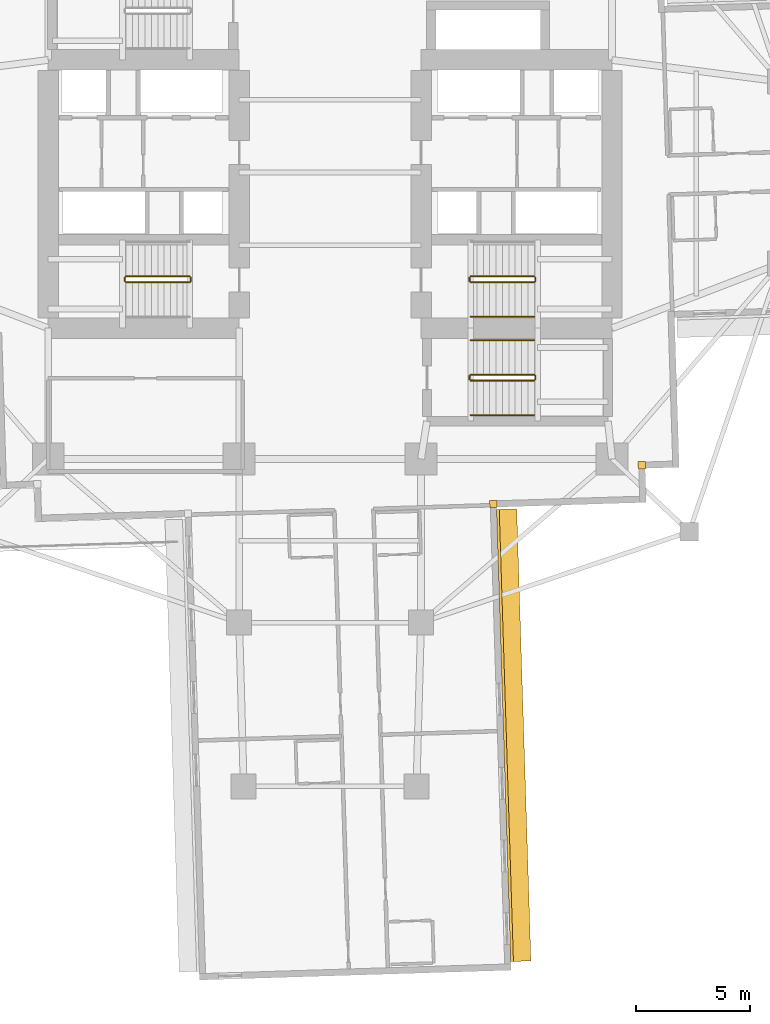
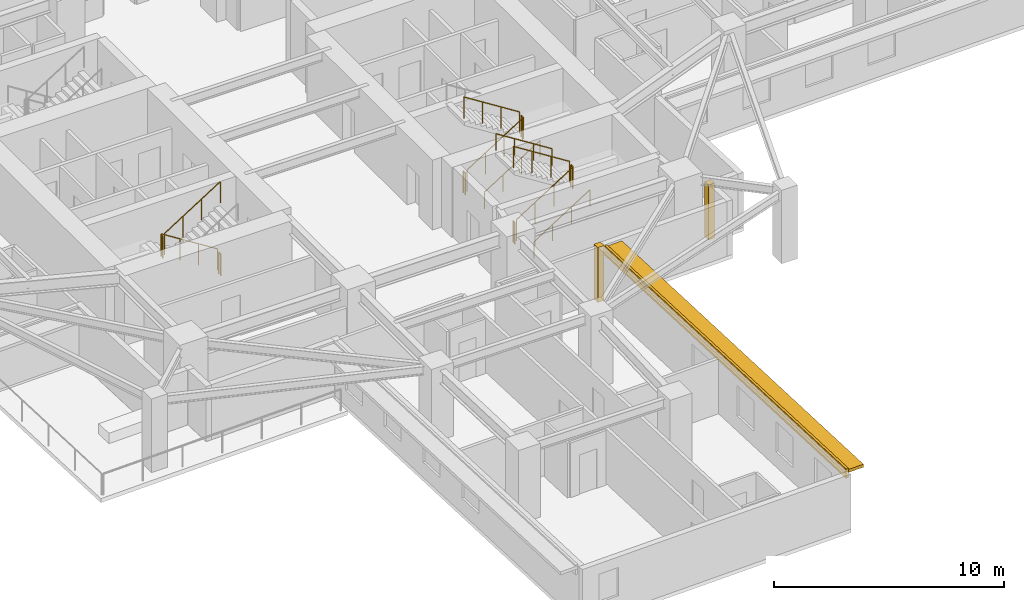
# One storey, part 11 of 14: 15 railings, 3 coverings, 1 shading device.
"""IFC4 building model written with IfcOpenShell, lengths in metres."""

from ifc_helpers import new_model, si_unit, direction, frame, origin, origin_2d, place, context, subcontext, project, spatial, rectangle, circle, extrude, material, layer, layer_set, type_object, element, save


model = new_model("IFC4")

# Units and contexts
model_context = context("Model", 3, precision=1e-05, world=origin(), true_north=direction((0.0, 1.0)))
body_context = subcontext(model_context, "Body", "Model", "MODEL_VIEW")
ifc_project = project(units=[si_unit("LENGTHUNIT", "METRE"), si_unit("AREAUNIT", "SQUARE_METRE"), si_unit("VOLUMEUNIT", "CUBIC_METRE"), si_unit("PLANEANGLEUNIT", "RADIAN"), si_unit("MASSUNIT", "GRAM", prefix="KILO")], contexts=[model_context])

# Site, building, storey
site_placement = place(None, origin())
site = spatial("IfcSite", under=ifc_project, at=site_placement, CompositionType="ELEMENT")
building_placement = place(site_placement, origin())
building = spatial("IfcBuilding", under=site, at=building_placement, Name="Qingluan Cross Belvedere", CompositionType="ELEMENT")
storey_placement = place(building_placement, frame((0.0, 0.0, 56.10009765625)))
storey = spatial("IfcBuildingStorey", under=building, at=storey_placement, Name="L14", CompositionType="ELEMENT", Elevation=56.10009765625)

# Coverings
ifc_material_1 = material(Name="Precast concrete C45", Category="concrete")
ifc_layer_1 = layer(ifc_material_1, 0.1201171875, Name="ConcreteSpandrelCladding_120")
ifc_layer_set_1 = layer_set([ifc_layer_1], Name="Precast concrete C45")
covering_type = type_object("IfcCoveringType", Name="ConcreteSpandrelCladding_120", PredefinedType="CLADDING", material=ifc_layer_set_1)
covering_placement = place(storey_placement, frame((7.691650390625, -24.760498046875, 2.449951171875), z_axis=(0.0, 0.0, 1.0), x_axis=(-0.031407934627, 0.999506649124, 0.0)))
element("IfcCovering", 1, at=covering_placement, inside=storey, type_object=covering_type, Name="Spandrel cladding L14-SB", PredefinedType="CLADDING", context=body_context, shape_type="SweptSolid", body=[
    extrude(rectangle(XDim=19.89990234375, YDim=0.1201171875, at=origin_2d()), origin(), (0.0, 0.0, 1.0), 0.52001953125),
])
for number, where, z_axis, x_axis, name in (
    (2, (13.711181640625, -12.875732421875, 0.0), (0.0, 0.0, 1.0), (0.999506560366, 0.031410759078, 0.0), "Corner closure L14-SE1"),
    (3, (7.181640625, -14.58154296875, 0.0), (0.0, 0.0, 1.0), (0.999506560366, 0.031410759078, 0.0), "Corner closure L14-SE2"),
):
    element("IfcCovering", number, at=place(storey_placement, frame(where, z_axis=z_axis, x_axis=x_axis)), inside=storey, type_object=covering_type, Name=name, PredefinedType="CLADDING", context=body_context, shape_type="SweptSolid", body=[
        extrude(rectangle(XDim=0.320068359375, YDim=0.320068359375, at=origin_2d()), origin(), (0.0, 0.0, 1.0), 2.909912109375),
    ])

# Shading device
ifc_material_2 = material(Name="Precast concrete C45", Category="concrete")
ifc_layer_2 = layer(ifc_material_2, 0.159912109375, Name="ConcreteSunshadeBand_900")
ifc_layer_set_2 = layer_set([ifc_layer_2], Name="Precast concrete C45")
shading_device_type = type_object("IfcShadingDeviceType", Name="ConcreteSunshadeBand_900", PredefinedType="USERDEFINED", material=ifc_layer_set_2)
shading_device_placement = place(storey_placement, frame((8.0712890625, -24.74853515625, 2.72998046875), z_axis=(0.0, 0.0, 1.0), x_axis=(-0.031407934627, 0.999506649124, 0.0)))
element("IfcShadingDevice", 4, at=shading_device_placement, inside=storey, type_object=shading_device_type, Name="Concrete SUNSHADE L14-SB", ObjectType="SUNSHADE", PredefinedType="USERDEFINED", context=body_context, shape_type="SweptSolid", body=[
    extrude(rectangle(XDim=19.89990234375, YDim=0.89990234375, at=origin_2d()), origin(), (0.0, 0.0, 1.0), 0.159912109375),
])

# Railings
ifc_material_3 = material(Name="Brushed stainless steel tubular handrail", Category="steel")
railing_type_1 = type_object("IfcRailingType", Name="StairPitchHandrail_900", PredefinedType="HANDRAIL", material=ifc_material_3)
for number, where, name in (
    (5, (6.179931640625, -6.35009765625, 0.17724609375), "L14 ST2 stair handrail 1"),
    (6, (6.179931640625, -10.669921875, 0.17724609375), "L14 ST4 stair handrail 1"),
):
    element("IfcRailing", number, at=place(storey_placement, frame(where)), inside=storey, type_object=railing_type_1, Name=name, PredefinedType="HANDRAIL", context=body_context, shape_type="SweptSolid", body=[
        extrude(circle(Radius=0.02392578125, at=origin_2d()), frame((0.0, 0.0, 0.8759765625), z_axis=(0.844908973607, 0.0, 0.534910110503), x_axis=(0.0, 1.0, 0.0)), (0.0, 0.0, 1.0), 3.31396484375),
        extrude(circle(Radius=0.02099609375, at=origin_2d()), origin(), (0.0, 0.0, 1.0), 0.851806640625),
        extrude(circle(Radius=0.02099609375, at=origin_2d()), frame((0.933349609375, 0.0, 0.5908203125)), (0.0, 0.0, 1.0), 0.851806640625),
        extrude(circle(Radius=0.02099609375, at=origin_2d()), frame((1.86669921875, 0.0, 1.181884765625)), (0.0, 0.0, 1.0), 0.851806640625),
        extrude(circle(Radius=0.02099609375, at=origin_2d()), frame((2.800048828125, 0.0, 1.772705078125)), (0.0, 0.0, 1.0), 0.851806640625),
    ])
railing_1_placement = place(storey_placement, frame((8.97998046875, -7.3701171875, 2.127197265625)))
element("IfcRailing", 7, at=railing_1_placement, inside=storey, type_object=railing_type_1, Name="L14 ST4 stair handrail 2", PredefinedType="HANDRAIL", context=body_context, shape_type="SweptSolid", body=[
    extrude(circle(Radius=0.02392578125, at=origin_2d()), frame((0.0, 0.0, 0.8759765625), z_axis=(-0.844908973607, 0.0, 0.534910110503), x_axis=(0.0, -1.0, 0.0)), (0.0, 0.0, 1.0), 3.31396484375),
    extrude(circle(Radius=0.02099609375, at=origin_2d()), origin(), (0.0, 0.0, 1.0), 0.851806640625),
    extrude(circle(Radius=0.02099609375, at=origin_2d()), frame((-0.933349609375, 0.0, 0.5908203125)), (0.0, 0.0, 1.0), 0.851806640625),
    extrude(circle(Radius=0.02099609375, at=origin_2d()), frame((-1.86669921875, 0.0, 1.181884765625)), (0.0, 0.0, 1.0), 0.851806640625),
    extrude(circle(Radius=0.02099609375, at=origin_2d()), frame((-2.800048828125, 0.0, 1.772705078125)), (0.0, 0.0, 1.0), 0.851806640625),
])
ifc_material_4 = material(Name="Painted steel stair well guard", Category="steel")
railing_type_2 = type_object("IfcRailingType", Name="StairWellGuard_1150", PredefinedType="BALUSTRADE", material=ifc_material_4)
railing_2_placement = place(storey_placement, frame((-6.179931640625, -4.570068359375, 0.17724609375)))
element("IfcRailing", 8, at=railing_2_placement, inside=storey, type_object=railing_type_2, Name="L14 ST1 stair guard 1", PredefinedType="BALUSTRADE", context=body_context, shape_type="SweptSolid", body=[
    extrude(circle(Radius=0.02392578125, at=origin_2d()), frame((0.0, 0.0, 1.1259765625), z_axis=(-0.844908973607, 0.0, 0.534910110503), x_axis=(0.0, -1.0, 0.0)), (0.0, 0.0, 1.0), 3.31396484375),
    extrude(circle(Radius=0.02099609375, at=origin_2d()), origin(), (0.0, 0.0, 1.0), 1.101806640625),
    extrude(circle(Radius=0.02099609375, at=origin_2d()), frame((-0.933349609375, 0.0, 0.5908203125)), (0.0, 0.0, 1.0), 1.101806640625),
    extrude(circle(Radius=0.02099609375, at=origin_2d()), frame((-1.86669921875, 0.0, 1.181884765625)), (0.0, 0.0, 1.0), 1.101806640625),
    extrude(circle(Radius=0.02099609375, at=origin_2d()), frame((-2.800048828125, 0.0, 1.772705078125)), (0.0, 0.0, 1.0), 1.101806640625),
])
railing_3_placement = place(storey_placement, frame((-9.030029296875, -4.6201171875, 1.949951171875)))
element("IfcRailing", 9, at=railing_3_placement, inside=storey, type_object=railing_type_2, Name="L14 ST1 stair guard 2", PredefinedType="BALUSTRADE", context=body_context, shape_type="SweptSolid", body=[
    extrude(circle(Radius=0.02392578125, at=origin_2d()), frame((0.0, 0.0, 1.1259765625), z_axis=(0.0, -1.0, 0.0), x_axis=(1.0, 0.0, 0.0)), (0.0, 0.0, 1.0), 0.159912109375),
    extrude(circle(Radius=0.02099609375, at=origin_2d()), origin(), (0.0, 0.0, 1.0), 1.101806640625),
    extrude(circle(Radius=0.02099609375, at=origin_2d()), frame((0.0, -0.159912109375, 0.0)), (0.0, 0.0, 1.0), 1.101806640625),
])
railing_4_placement = place(storey_placement, frame((-8.97998046875, -4.830078125, 2.127197265625)))
element("IfcRailing", 10, at=railing_4_placement, inside=storey, type_object=railing_type_2, Name="L14 ST1 stair guard 3", PredefinedType="BALUSTRADE", context=body_context, shape_type="SweptSolid", body=[
    extrude(circle(Radius=0.02392578125, at=origin_2d()), frame((0.0, 0.0, 1.1259765625), z_axis=(0.844908973607, 0.0, 0.534910110503), x_axis=(0.0, 1.0, 0.0)), (0.0, 0.0, 1.0), 3.31396484375),
    extrude(circle(Radius=0.02099609375, at=origin_2d()), origin(), (0.0, 0.0, 1.0), 1.101806640625),
    extrude(circle(Radius=0.02099609375, at=origin_2d()), frame((0.933349609375, 0.0, 0.5908203125)), (0.0, 0.0, 1.0), 1.101806640625),
    extrude(circle(Radius=0.02099609375, at=origin_2d()), frame((1.86669921875, 0.0, 1.181884765625)), (0.0, 0.0, 1.0), 1.101806640625),
    extrude(circle(Radius=0.02099609375, at=origin_2d()), frame((2.800048828125, 0.0, 1.772705078125)), (0.0, 0.0, 1.0), 1.101806640625),
])
railing_5_placement = place(storey_placement, frame((-6.1298828125, -4.6201171875, 0.0)))
element("IfcRailing", 11, at=railing_5_placement, inside=storey, type_object=railing_type_2, Name="L14 ST1 stair guard 4", PredefinedType="BALUSTRADE", context=body_context, shape_type="SweptSolid", body=[
    extrude(circle(Radius=0.02392578125, at=origin_2d()), frame((0.0, 0.0, 1.1259765625), z_axis=(0.0, -1.0, 0.0), x_axis=(1.0, 0.0, 0.0)), (0.0, 0.0, 1.0), 0.159912109375),
    extrude(circle(Radius=0.02099609375, at=origin_2d()), origin(), (0.0, 0.0, 1.0), 1.101806640625),
    extrude(circle(Radius=0.02099609375, at=origin_2d()), frame((0.0, -0.159912109375, 0.0)), (0.0, 0.0, 1.0), 1.101806640625),
])
railing_6_placement = place(storey_placement, frame((6.179931640625, -4.830078125, 0.17724609375)))
element("IfcRailing", 12, at=railing_6_placement, inside=storey, type_object=railing_type_2, Name="L14 ST2 stair guard 1", PredefinedType="BALUSTRADE", context=body_context, shape_type="SweptSolid", body=[
    extrude(circle(Radius=0.02392578125, at=origin_2d()), frame((0.0, 0.0, 1.1259765625), z_axis=(0.844908973607, 0.0, 0.534910110503), x_axis=(0.0, 1.0, 0.0)), (0.0, 0.0, 1.0), 3.31396484375),
    extrude(circle(Radius=0.02099609375, at=origin_2d()), origin(), (0.0, 0.0, 1.0), 1.101806640625),
    extrude(circle(Radius=0.02099609375, at=origin_2d()), frame((0.933349609375, 0.0, 0.5908203125)), (0.0, 0.0, 1.0), 1.101806640625),
    extrude(circle(Radius=0.02099609375, at=origin_2d()), frame((1.86669921875, 0.0, 1.181884765625)), (0.0, 0.0, 1.0), 1.101806640625),
    extrude(circle(Radius=0.02099609375, at=origin_2d()), frame((2.800048828125, 0.0, 1.772705078125)), (0.0, 0.0, 1.0), 1.101806640625),
])
railing_7_placement = place(storey_placement, frame((9.030029296875, -4.780029296875, 1.949951171875)))
element("IfcRailing", 13, at=railing_7_placement, inside=storey, type_object=railing_type_2, Name="L14 ST2 stair guard 2", PredefinedType="BALUSTRADE", context=body_context, shape_type="SweptSolid", body=[
    extrude(circle(Radius=0.02392578125, at=origin_2d()), frame((0.0, 0.0, 1.1259765625), z_axis=(0.0, 1.0, 0.0), x_axis=(-1.0, 0.0, 0.0)), (0.0, 0.0, 1.0), 0.159912109375),
    extrude(circle(Radius=0.02099609375, at=origin_2d()), origin(), (0.0, 0.0, 1.0), 1.101806640625),
    extrude(circle(Radius=0.02099609375, at=origin_2d()), frame((0.0, 0.159912109375, 0.0)), (0.0, 0.0, 1.0), 1.101806640625),
])
railing_8_placement = place(storey_placement, frame((8.97998046875, -4.570068359375, 2.127197265625)))
element("IfcRailing", 14, at=railing_8_placement, inside=storey, type_object=railing_type_2, Name="L14 ST2 stair guard 3", PredefinedType="BALUSTRADE", context=body_context, shape_type="SweptSolid", body=[
    extrude(circle(Radius=0.02392578125, at=origin_2d()), frame((0.0, 0.0, 1.1259765625), z_axis=(-0.844908973607, 0.0, 0.534910110503), x_axis=(0.0, -1.0, 0.0)), (0.0, 0.0, 1.0), 3.31396484375),
    extrude(circle(Radius=0.02099609375, at=origin_2d()), origin(), (0.0, 0.0, 1.0), 1.101806640625),
    extrude(circle(Radius=0.02099609375, at=origin_2d()), frame((-0.933349609375, 0.0, 0.5908203125)), (0.0, 0.0, 1.0), 1.101806640625),
    extrude(circle(Radius=0.02099609375, at=origin_2d()), frame((-1.86669921875, 0.0, 1.181884765625)), (0.0, 0.0, 1.0), 1.101806640625),
    extrude(circle(Radius=0.02099609375, at=origin_2d()), frame((-2.800048828125, 0.0, 1.772705078125)), (0.0, 0.0, 1.0), 1.101806640625),
])
railing_9_placement = place(storey_placement, frame((6.1298828125, -4.780029296875, 0.0)))
element("IfcRailing", 15, at=railing_9_placement, inside=storey, type_object=railing_type_2, Name="L14 ST2 stair guard 4", PredefinedType="BALUSTRADE", context=body_context, shape_type="SweptSolid", body=[
    extrude(circle(Radius=0.02392578125, at=origin_2d()), frame((0.0, 0.0, 1.1259765625), z_axis=(0.0, 1.0, 0.0), x_axis=(-1.0, 0.0, 0.0)), (0.0, 0.0, 1.0), 0.159912109375),
    extrude(circle(Radius=0.02099609375, at=origin_2d()), origin(), (0.0, 0.0, 1.0), 1.101806640625),
    extrude(circle(Radius=0.02099609375, at=origin_2d()), frame((0.0, 0.159912109375, 0.0)), (0.0, 0.0, 1.0), 1.101806640625),
])
railing_10_placement = place(storey_placement, frame((6.179931640625, -9.14990234375, 0.17724609375)))
element("IfcRailing", 16, at=railing_10_placement, inside=storey, type_object=railing_type_2, Name="L14 ST4 stair guard 1", PredefinedType="BALUSTRADE", context=body_context, shape_type="SweptSolid", body=[
    extrude(circle(Radius=0.02392578125, at=origin_2d()), frame((0.0, 0.0, 1.1259765625), z_axis=(0.844908973607, 0.0, 0.534910110503), x_axis=(0.0, 1.0, 0.0)), (0.0, 0.0, 1.0), 3.31396484375),
    extrude(circle(Radius=0.02099609375, at=origin_2d()), origin(), (0.0, 0.0, 1.0), 1.101806640625),
    extrude(circle(Radius=0.02099609375, at=origin_2d()), frame((0.933349609375, 0.0, 0.5908203125)), (0.0, 0.0, 1.0), 1.101806640625),
    extrude(circle(Radius=0.02099609375, at=origin_2d()), frame((1.86669921875, 0.0, 1.181884765625)), (0.0, 0.0, 1.0), 1.101806640625),
    extrude(circle(Radius=0.02099609375, at=origin_2d()), frame((2.800048828125, 0.0, 1.772705078125)), (0.0, 0.0, 1.0), 1.101806640625),
])
railing_11_placement = place(storey_placement, frame((9.030029296875, -9.10009765625, 1.949951171875)))
element("IfcRailing", 17, at=railing_11_placement, inside=storey, type_object=railing_type_2, Name="L14 ST4 stair guard 2", PredefinedType="BALUSTRADE", context=body_context, shape_type="SweptSolid", body=[
    extrude(circle(Radius=0.02392578125, at=origin_2d()), frame((0.0, 0.0, 1.1259765625), z_axis=(0.0, 1.0, 0.0), x_axis=(-1.0, 0.0, 0.0)), (0.0, 0.0, 1.0), 0.16015625),
    extrude(circle(Radius=0.02099609375, at=origin_2d()), origin(), (0.0, 0.0, 1.0), 1.101806640625),
    extrude(circle(Radius=0.02099609375, at=origin_2d()), frame((0.0, 0.16015625, 0.0)), (0.0, 0.0, 1.0), 1.101806640625),
])
railing_12_placement = place(storey_placement, frame((8.97998046875, -8.889892578125, 2.127197265625)))
element("IfcRailing", 18, at=railing_12_placement, inside=storey, type_object=railing_type_2, Name="L14 ST4 stair guard 3", PredefinedType="BALUSTRADE", context=body_context, shape_type="SweptSolid", body=[
    extrude(circle(Radius=0.02392578125, at=origin_2d()), frame((0.0, 0.0, 1.1259765625), z_axis=(-0.844908973607, 0.0, 0.534910110503), x_axis=(0.0, -1.0, 0.0)), (0.0, 0.0, 1.0), 3.31396484375),
    extrude(circle(Radius=0.02099609375, at=origin_2d()), origin(), (0.0, 0.0, 1.0), 1.101806640625),
    extrude(circle(Radius=0.02099609375, at=origin_2d()), frame((-0.933349609375, 0.0, 0.5908203125)), (0.0, 0.0, 1.0), 1.101806640625),
    extrude(circle(Radius=0.02099609375, at=origin_2d()), frame((-1.86669921875, 0.0, 1.181884765625)), (0.0, 0.0, 1.0), 1.101806640625),
    extrude(circle(Radius=0.02099609375, at=origin_2d()), frame((-2.800048828125, 0.0, 1.772705078125)), (0.0, 0.0, 1.0), 1.101806640625),
])
railing_13_placement = place(storey_placement, frame((6.1298828125, -9.10009765625, 0.0)))
element("IfcRailing", 19, at=railing_13_placement, inside=storey, type_object=railing_type_2, Name="L14 ST4 stair guard 4", PredefinedType="BALUSTRADE", context=body_context, shape_type="SweptSolid", body=[
    extrude(circle(Radius=0.02392578125, at=origin_2d()), frame((0.0, 0.0, 1.1259765625), z_axis=(0.0, 1.0, 0.0), x_axis=(-1.0, 0.0, 0.0)), (0.0, 0.0, 1.0), 0.16015625),
    extrude(circle(Radius=0.02099609375, at=origin_2d()), origin(), (0.0, 0.0, 1.0), 1.101806640625),
    extrude(circle(Radius=0.02099609375, at=origin_2d()), frame((0.0, 0.16015625, 0.0)), (0.0, 0.0, 1.0), 1.101806640625),
])

save(model, "model.ifc")
